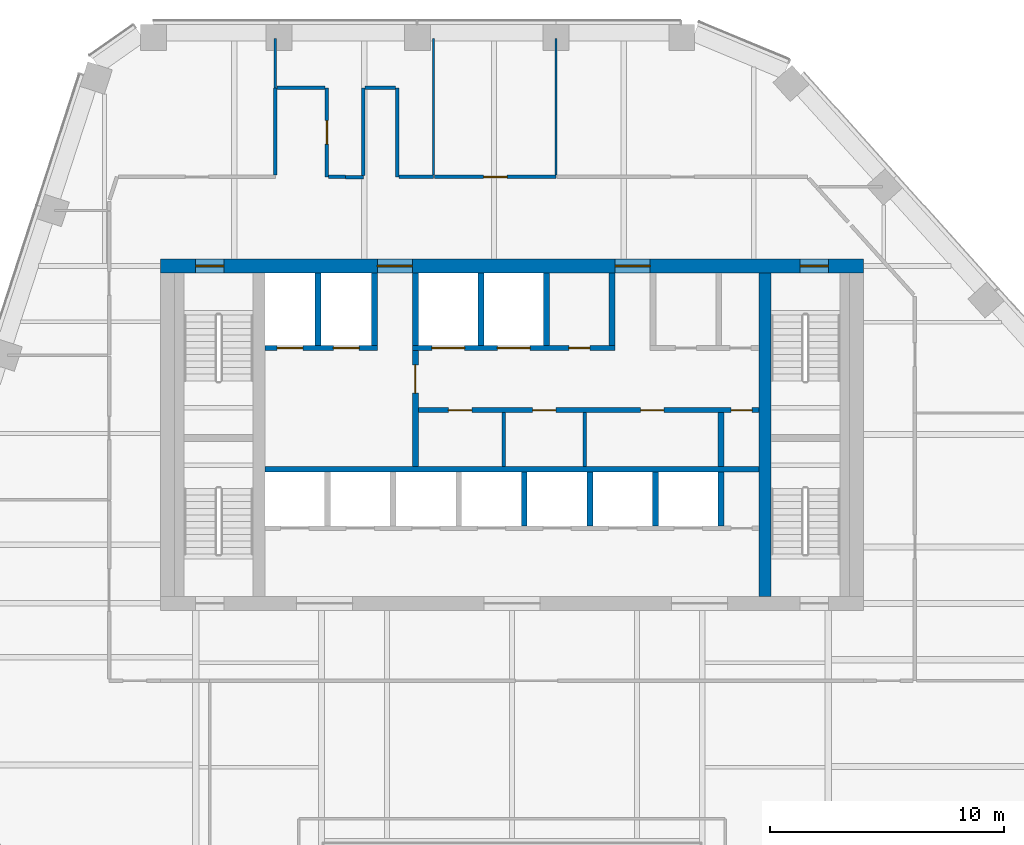
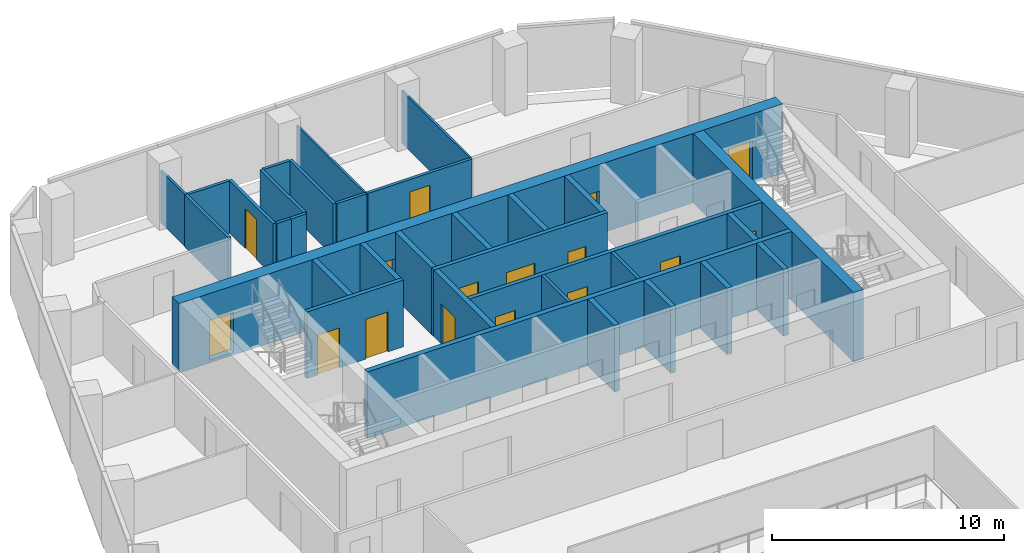
# One storey, part 10 of 15: 33 walls, 16 doors, 16 openings.
"""IFC4 building model written with IfcOpenShell, lengths in metres."""

from ifc_helpers import new_model, si_unit, direction, frame, frame_2d, origin, place, context, subcontext, project, spatial, rectangle, extrude, material, layer, layer_set, type_object, element, fill, save


model = new_model("IFC4")

# Units and contexts
model_context = context("Model", 3, precision=1e-05, world=origin(), true_north=direction((0.0, 1.0)))
body_context = subcontext(model_context, "Body", "Model", "MODEL_VIEW")
ifc_project = project(units=[si_unit("LENGTHUNIT", "METRE"), si_unit("AREAUNIT", "SQUARE_METRE"), si_unit("VOLUMEUNIT", "CUBIC_METRE"), si_unit("PLANEANGLEUNIT", "RADIAN"), si_unit("MASSUNIT", "GRAM", prefix="KILO")], contexts=[model_context])

# Site, building, storey
site_placement = place(None, origin())
site = spatial("IfcSite", under=ifc_project, at=site_placement, CompositionType="ELEMENT")
building_placement = place(site_placement, origin())
building = spatial("IfcBuilding", under=site, at=building_placement, Name="Isthmus Gate Tower", CompositionType="ELEMENT")
storey_placement = place(building_placement, frame((0.0, 0.0, 230.89990234375)))
storey = spatial("IfcBuildingStorey", under=building, at=storey_placement, Name="L58", CompositionType="ELEMENT", Elevation=230.89990234375)

# Wall, opening, door
ifc_material_1 = material(Name="Gypsum board on steel studs, fire-rated", Category="steel")
ifc_layer_1 = layer(ifc_material_1, 0.14990234375)
ifc_layer_set_1 = layer_set([ifc_layer_1], Name="CORRIDOR WALL 150 60 MIN")
wall_type_1 = type_object("IfcWallType", Name="CORRIDOR WALL 150 60 MIN", PredefinedType="PARTITIONING", material=ifc_layer_set_1)
wall_1_placement = place(storey_placement, frame((-7.89990234375, 22.300048828125, 0.0), z_axis=(0.0, 0.0, 1.0), x_axis=(0.0, -1.0, 0.0)))
wall_1 = element("IfcWall", 1, at=wall_1_placement, inside=storey, type_object=wall_type_1, Name="L58 Corridor Wall 150 60 Min", PredefinedType="PARTITIONING", context=body_context, shape_type="SweptSolid", body=[
    extrude(rectangle(XDim=3.800048828125, YDim=0.14990234375, at=frame_2d((1.89990234375, 0.0))), origin(), (0.0, 0.0, 1.0), 2.750732421875),
])
opening_1_placement = place(wall_1_placement, frame((1.39990234375, 0.0, 0.0)))
opening_1 = element("IfcOpeningElement", 2, at=opening_1_placement, cuts=wall_1, Name="Opening DT-T5B-02", PredefinedType="OPENING", context=body_context, shape_type="SweptSolid", body=[
    extrude(rectangle(XDim=1.0, YDim=2.10009765625, at=frame_2d((0.5, 1.050048828125))), frame((0.0, 0.0849609375, 0.0), z_axis=(0.0, -1.0, 0.0), x_axis=(1.0, 0.0, 0.0)), (0.0, 0.0, 1.0), 0.169921875),
])
ifc_material_2 = material(Name="Solid core timber door leaf, fire-rated", Category="wood")
door_type_1 = type_object("IfcDoorType", Name="FIRE DOOR ROOM 1000 X 2100 60 MIN", OperationType="SINGLE_SWING_LEFT", PredefinedType="DOOR", material=ifc_material_2)
door_1_placement = place(opening_1_placement, origin())
door_1 = element("IfcDoor", 3, at=door_1_placement, inside=storey, type_object=door_type_1, Name="L58 room door", OperationType="SINGLE_SWING_RIGHT", OverallHeight=2.10009765625, OverallWidth=1.0, PredefinedType="DOOR", context=body_context, shape_type="SweptSolid", body=[
    extrude(rectangle(XDim=1.0, YDim=2.10009765625, at=frame_2d((0.5, 1.050048828125))), frame((0.0, 0.02490234375, 0.0), z_axis=(0.0, -1.0, 0.0), x_axis=(1.0, 0.0, 0.0)), (0.0, 0.0, 1.0), 0.050048828125),
])
fill(opening_1, door_1)

# Walls
wall_2_placement = place(storey_placement, frame((-4.89990234375, 22.300048828125, 0.0), z_axis=(0.0, 0.0, 1.0), x_axis=(0.0, -1.0, 0.0)))
element("IfcWall", 4, at=wall_2_placement, inside=storey, type_object=wall_type_1, Name="L58 Corridor Wall 150 60 Min", PredefinedType="PARTITIONING", context=body_context, shape_type="SweptSolid", body=[
    extrude(rectangle(XDim=3.800048828125, YDim=0.14990234375, at=frame_2d((1.89990234375, 0.0))), origin(), (0.0, 0.0, 1.0), 2.750732421875),
])
wall_3_placement = place(storey_placement, frame((-10.10009765625, 18.574951171875, 0.0), z_axis=(0.0, 0.0, 1.0), x_axis=(0.0, 1.0, 0.0)))
element("IfcWall", 5, at=wall_3_placement, inside=storey, type_object=wall_type_1, Name="L58 Corridor Wall 150 60 Min", PredefinedType="PARTITIONING", context=body_context, shape_type="SweptSolid", body=[
    extrude(rectangle(XDim=3.72509765625, YDim=0.14990234375, at=frame_2d((1.862548828125, 0.0))), origin(), (0.0, 0.0, 1.0), 2.750732421875),
])
wall_4_placement = place(storey_placement, frame((-10.02490234375, 22.300048828125, 0.0), z_axis=(0.0, 0.0, 1.0), x_axis=(1.0, 0.0, 0.0)))
element("IfcWall", 6, at=wall_4_placement, inside=storey, type_object=wall_type_1, Name="L58 Corridor Wall 150 60 Min", PredefinedType="PARTITIONING", context=body_context, shape_type="SweptSolid", body=[
    extrude(rectangle(XDim=2.0498046875, YDim=0.14990234375, at=frame_2d((1.02490234375, 0.0))), origin(), (0.0, 0.0, 1.0), 2.750732421875),
])
wall_5_placement = place(storey_placement, frame((-7.824951171875, 18.5, 0.0), z_axis=(0.0, 0.0, 1.0), x_axis=(1.0, 0.0, 0.0)))
element("IfcWall", 7, at=wall_5_placement, inside=storey, type_object=wall_type_1, Name="L58 Corridor Wall 150 60 Min", PredefinedType="PARTITIONING", context=body_context, shape_type="SweptSolid", body=[
    extrude(rectangle(XDim=0.722900390625, YDim=0.14990234375, at=frame_2d((0.361328125, 0.0))), origin(), (0.0, 0.0, 1.0), 2.750732421875),
])
wall_6_placement = place(storey_placement, frame((-7.10205078125, 18.498046875, 0.0), z_axis=(0.0, 0.0, 1.0), x_axis=(1.0, 0.0, 0.0)))
element("IfcWall", 8, at=wall_6_placement, inside=storey, type_object=wall_type_1, Name="L58 Corridor Wall 150 60 Min", PredefinedType="PARTITIONING", context=body_context, shape_type="SweptSolid", body=[
    extrude(rectangle(XDim=0.754150390625, YDim=0.14990234375, at=frame_2d((0.376953125, 0.0))), origin(), (0.0, 0.0, 1.0), 2.750732421875),
])
wall_7_placement = place(storey_placement, frame((-6.347900390625, 18.572998046875, 0.0), z_axis=(0.0, 0.0, 1.0), x_axis=(0.0, 1.0, 0.0)))
element("IfcWall", 9, at=wall_7_placement, inside=storey, type_object=wall_type_1, Name="L58 Corridor Wall 150 60 Min", PredefinedType="PARTITIONING", context=body_context, shape_type="SweptSolid", body=[
    extrude(rectangle(XDim=3.72705078125, YDim=0.14990234375, at=frame_2d((1.863525390625, 0.0))), origin(), (0.0, 0.0, 1.0), 2.750732421875),
])
wall_8_placement = place(storey_placement, frame((-6.27294921875, 22.300048828125, 0.0), z_axis=(0.0, 0.0, 1.0), x_axis=(1.0, 0.0, 0.0)))
element("IfcWall", 10, at=wall_8_placement, inside=storey, type_object=wall_type_1, Name="L58 Corridor Wall 150 60 Min", PredefinedType="PARTITIONING", context=body_context, shape_type="SweptSolid", body=[
    extrude(rectangle(XDim=1.2978515625, YDim=0.14990234375, at=frame_2d((0.64892578125, 0.0))), origin(), (0.0, 0.0, 1.0), 2.750732421875),
])
wall_9_placement = place(storey_placement, frame((-4.824951171875, 18.5, 0.0), z_axis=(0.0, 0.0, 1.0), x_axis=(1.0, 0.0, 0.0)))
element("IfcWall", 11, at=wall_9_placement, inside=storey, type_object=wall_type_1, Name="L58 Corridor Wall 150 60 Min", PredefinedType="PARTITIONING", context=body_context, shape_type="SweptSolid", body=[
    extrude(rectangle(XDim=1.474853515625, YDim=0.14990234375, at=frame_2d((0.7373046875, 0.0))), origin(), (0.0, 0.0, 1.0), 2.750732421875),
])

# Wall, opening, door
wall_10_placement = place(storey_placement, frame((-3.300048828125, 18.5, 0.0), z_axis=(0.0, 0.0, 1.0), x_axis=(1.0, 0.0, 0.0)))
wall_10 = element("IfcWall", 12, at=wall_10_placement, inside=storey, type_object=wall_type_1, Name="L58 Corridor Wall 150 60 Min", PredefinedType="PARTITIONING", context=body_context, shape_type="SweptSolid", body=[
    extrude(rectangle(XDim=5.18115234375, YDim=0.14990234375, at=frame_2d((2.590576171875, 0.0))), origin(), (0.0, 0.0, 1.0), 2.750732421875),
])
opening_2_placement = place(wall_10_placement, frame((2.090576171875, 0.0, 0.0)))
opening_2 = element("IfcOpeningElement", 13, at=opening_2_placement, cuts=wall_10, Name="Opening DT-T5B-03", PredefinedType="OPENING", context=body_context, shape_type="SweptSolid", body=[
    extrude(rectangle(XDim=1.0, YDim=2.10009765625, at=frame_2d((0.5, 1.050048828125))), frame((0.0, 0.0849609375, 0.0), z_axis=(0.0, -1.0, 0.0), x_axis=(1.0, 0.0, 0.0)), (0.0, 0.0, 1.0), 0.169921875),
])
door_2_placement = place(opening_2_placement, origin())
door_2 = element("IfcDoor", 14, at=door_2_placement, inside=storey, type_object=door_type_1, Name="L58 room door", OperationType="SINGLE_SWING_RIGHT", OverallHeight=2.10009765625, OverallWidth=1.0, PredefinedType="DOOR", context=body_context, shape_type="SweptSolid", body=[
    extrude(rectangle(XDim=1.0, YDim=2.10009765625, at=frame_2d((0.5, 1.050048828125))), frame((0.0, 0.02490234375, 0.0), z_axis=(0.0, -1.0, 0.0), x_axis=(1.0, 0.0, 0.0)), (0.0, 0.0, 1.0), 0.050048828125),
])
fill(opening_2, door_2)

ifc_material_3 = material(Name="Fire-rated blockwork masonry, 15 MPa", Category="masonry")
ifc_layer_2 = layer(ifc_material_3, 0.25)
ifc_layer_set_2 = layer_set([ifc_layer_2], Name="FIRE-FIGHTING LOBBY WALL 250 90 MIN")
wall_type_2 = type_object("IfcWallType", Name="FIRE-FIGHTING LOBBY WALL 250 90 MIN", PredefinedType="PARTITIONING", material=ifc_layer_set_2)
wall_11_placement = place(storey_placement, frame((-4.125, 6.14990234375, 0.0), z_axis=(0.0, 0.0, 1.0), x_axis=(0.0, 1.0, 0.0)))
wall_11 = element("IfcWall", 15, at=wall_11_placement, inside=storey, type_object=wall_type_2, Name="L58 FIRE-FIGHTING LOBBY WALL 250 90 MIN", PredefinedType="PARTITIONING", context=body_context, shape_type="SweptSolid", body=[
    extrude(rectangle(XDim=4.9501953125, YDim=0.25, at=frame_2d((2.47509765625, 0.0))), origin(), (0.0, 0.0, 1.0), 3.5),
])
opening_3_placement = place(wall_11_placement, frame((3.125, 0.0, 0.0)))
opening_3 = element("IfcOpeningElement", 16, at=opening_3_placement, cuts=wall_11, Name="Opening DC-A20-01", PredefinedType="OPENING", context=body_context, shape_type="SweptSolid", body=[
    extrude(rectangle(XDim=1.199951171875, YDim=2.10009765625, at=frame_2d((0.60009765625, 1.050048828125))), frame((0.0, 0.135009765625, 0.0), z_axis=(0.0, -1.0, 0.0), x_axis=(1.0, 0.0, 0.0)), (0.0, 0.0, 1.0), 0.27001953125),
])
ifc_material_4 = material(Name="Steel door leaf, fire-rated", Category="steel")
door_type_2 = type_object("IfcDoorType", Name="LOBBY FIRE DOOR 1200 X 2100 90 MIN", OperationType="DOUBLE_DOOR_SINGLE_SWING", PredefinedType="DOOR", material=ifc_material_4)
door_3_placement = place(opening_3_placement, origin())
door_3 = element("IfcDoor", 17, at=door_3_placement, inside=storey, type_object=door_type_2, Name="Fire-fighting Lobby Door", OperationType="SINGLE_SWING_LEFT", OverallHeight=2.10009765625, OverallWidth=1.199951171875, PredefinedType="DOOR", context=body_context, shape_type="SweptSolid", body=[
    extrude(rectangle(XDim=1.199951171875, YDim=2.10009765625, at=frame_2d((0.60009765625, 1.050048828125))), frame((0.0, 0.02490234375, 0.0), z_axis=(0.0, -1.0, 0.0), x_axis=(1.0, 0.0, 0.0)), (0.0, 0.0, 1.0), 0.050048828125),
])
fill(opening_3, door_3)

# Wall
ifc_material_5 = material(Name="Concrete f'c 50 MPa", Category="concrete")
ifc_layer_3 = layer(ifc_material_5, 0.5)
ifc_layer_set_3 = layer_set([ifc_layer_3], Name="RC CORE SPINE WALL 500 F'C 50")
wall_type_3 = type_object("IfcWallType", Name="RC CORE SPINE WALL 500 F'C 50", PredefinedType="SOLIDWALL", material=ifc_layer_set_3)
wall_12_placement = place(storey_placement, frame((10.800048828125, 0.60009765625, -0.14990234375), z_axis=(0.0, 0.0, 1.0), x_axis=(0.0, 1.0, 0.0)))
element("IfcWall", 18, at=wall_12_placement, inside=storey, type_object=wall_type_3, Name="str-corewall-L58-SPE", PredefinedType="SOLIDWALL", context=body_context, shape_type="SweptSolid", body=[
    extrude(rectangle(XDim=13.7998046875, YDim=0.5, at=frame_2d((6.89990234375, 0.0))), origin(), (0.0, 0.0, 1.0), 3.64990234375),
])

# Wall, openings, doors
ifc_material_6 = material(Name="Concrete f'c 50 MPa", Category="concrete")
ifc_layer_4 = layer(ifc_material_6, 0.60009765625)
ifc_layer_set_4 = layer_set([ifc_layer_4], Name="RC CORE WALL 600 F'C 50")
wall_type_4 = type_object("IfcWallType", Name="RC CORE WALL 600 F'C 50", PredefinedType="SOLIDWALL", material=ifc_layer_set_4)
wall_13_placement = place(storey_placement, frame((-15.0, 14.699951171875, -0.14990234375), z_axis=(0.0, 0.0, 1.0), x_axis=(1.0, 0.0, 0.0)))
wall_13 = element("IfcWall", 19, at=wall_13_placement, inside=storey, type_object=wall_type_4, Name="str-corewall-L58-N", PredefinedType="SOLIDWALL", context=body_context, shape_type="SweptSolid", body=[
    extrude(rectangle(XDim=30.0, YDim=0.60009765625, at=frame_2d((15.0, 0.0))), origin(), (0.0, 0.0, 1.0), 3.64990234375),
])
opening_4_placement = place(wall_13_placement, frame((9.25, 0.0, 0.14990234375)))
opening_4 = element("IfcOpeningElement", 20, at=opening_4_placement, cuts=wall_13, Name="Opening DC-A20-13", PredefinedType="OPENING", context=body_context, shape_type="SweptSolid", body=[
    extrude(rectangle(XDim=1.5, YDim=2.10009765625, at=frame_2d((0.75, 1.050048828125))), frame((0.0, 0.31005859375, 0.0), z_axis=(0.0, -1.0, 0.0), x_axis=(1.0, 0.0, 0.0)), (0.0, 0.0, 1.0), 0.6201171875),
])
opening_5_placement = place(wall_13_placement, frame((19.39990234375, 0.0, 0.14990234375)))
opening_5 = element("IfcOpeningElement", 21, at=opening_5_placement, cuts=wall_13, Name="Opening DC-A20-14", PredefinedType="OPENING", context=body_context, shape_type="SweptSolid", body=[
    extrude(rectangle(XDim=1.5, YDim=2.10009765625, at=frame_2d((0.75, 1.050048828125))), frame((0.0, 0.31005859375, 0.0), z_axis=(0.0, -1.0, 0.0), x_axis=(1.0, 0.0, 0.0)), (0.0, 0.0, 1.0), 0.6201171875),
])
opening_6_placement = place(wall_13_placement, frame((1.5, 0.0, 0.14990234375)))
opening_6 = element("IfcOpeningElement", 22, at=opening_6_placement, cuts=wall_13, Name="Opening DC-A20-15", PredefinedType="OPENING", context=body_context, shape_type="SweptSolid", body=[
    extrude(rectangle(XDim=1.199951171875, YDim=2.10009765625, at=frame_2d((0.60009765625, 1.050048828125))), frame((0.0, 0.31005859375, 0.0), z_axis=(0.0, -1.0, 0.0), x_axis=(1.0, 0.0, 0.0)), (0.0, 0.0, 1.0), 0.6201171875),
])
opening_7_placement = place(wall_13_placement, frame((27.300048828125, 0.0, 0.14990234375)))
opening_7 = element("IfcOpeningElement", 23, at=opening_7_placement, cuts=wall_13, Name="Opening DC-A20-16", PredefinedType="OPENING", context=body_context, shape_type="SweptSolid", body=[
    extrude(rectangle(XDim=1.199951171875, YDim=2.10009765625, at=frame_2d((0.60009765625, 1.050048828125))), frame((0.0, 0.31005859375, 0.0), z_axis=(0.0, -1.0, 0.0), x_axis=(1.0, 0.0, 0.0)), (0.0, 0.0, 1.0), 0.6201171875),
])
ifc_material_7 = material(Name="Steel door leaf, fire-rated", Category="steel")
door_type_3 = type_object("IfcDoorType", Name="LOBBY FIRE DOOR 1500 X 2100 60 MIN", OperationType="DOUBLE_DOOR_SINGLE_SWING", PredefinedType="DOOR", material=ifc_material_7)
door_4_placement = place(opening_5_placement, origin())
door_4 = element("IfcDoor", 24, at=door_4_placement, inside=storey, type_object=door_type_3, Name="Lobby Door PN-E", OperationType="DOUBLE_DOOR_SINGLE_SWING", OverallHeight=2.10009765625, OverallWidth=1.5, PredefinedType="DOOR", context=body_context, shape_type="SweptSolid", body=[
    extrude(rectangle(XDim=1.5, YDim=2.10009765625, at=frame_2d((0.75, 1.050048828125))), frame((0.0, 0.02490234375, 0.0), z_axis=(0.0, -1.0, 0.0), x_axis=(1.0, 0.0, 0.0)), (0.0, 0.0, 1.0), 0.050048828125),
])
fill(opening_5, door_4)
ifc_material_8 = material(Name="Steel door leaf, fire-rated", Category="steel")
door_type_4 = type_object("IfcDoorType", Name="LOBBY FIRE DOOR 1500 X 2100 90 MIN", OperationType="DOUBLE_DOOR_SINGLE_SWING", PredefinedType="DOOR", material=ifc_material_8)
door_5_placement = place(opening_4_placement, origin())
door_5 = element("IfcDoor", 25, at=door_5_placement, inside=storey, type_object=door_type_4, Name="Lobby Door PN-W", OperationType="DOUBLE_DOOR_SINGLE_SWING", OverallHeight=2.10009765625, OverallWidth=1.5, PredefinedType="DOOR", context=body_context, shape_type="SweptSolid", body=[
    extrude(rectangle(XDim=1.5, YDim=2.10009765625, at=frame_2d((0.75, 1.050048828125))), frame((0.0, 0.02490234375, 0.0), z_axis=(0.0, -1.0, 0.0), x_axis=(1.0, 0.0, 0.0)), (0.0, 0.0, 1.0), 0.050048828125),
])
fill(opening_4, door_5)
ifc_material_9 = material(Name="Steel door leaf, fire-rated", Category="steel")
door_type_5 = type_object("IfcDoorType", Name="STAIR FIRE DOOR 1200 X 2100 90 MIN", OperationType="SINGLE_SWING_LEFT", PredefinedType="DOOR", material=ifc_material_9)
door_6_placement = place(opening_6_placement, origin())
door_6 = element("IfcDoor", 26, at=door_6_placement, inside=storey, type_object=door_type_5, Name="Exit Stair 1 Door", OperationType="SINGLE_SWING_RIGHT", OverallHeight=2.10009765625, OverallWidth=1.199951171875, PredefinedType="DOOR", context=body_context, shape_type="SweptSolid", body=[
    extrude(rectangle(XDim=1.199951171875, YDim=2.10009765625, at=frame_2d((0.60009765625, 1.050048828125))), frame((0.0, 0.02490234375, 0.0), z_axis=(0.0, -1.0, 0.0), x_axis=(1.0, 0.0, 0.0)), (0.0, 0.0, 1.0), 0.050048828125),
])
fill(opening_6, door_6)
door_7_placement = place(opening_7_placement, origin())
door_7 = element("IfcDoor", 27, at=door_7_placement, inside=storey, type_object=door_type_5, Name="Exit Stair 2 Door", OperationType="SINGLE_SWING_LEFT", OverallHeight=2.10009765625, OverallWidth=1.199951171875, PredefinedType="DOOR", context=body_context, shape_type="SweptSolid", body=[
    extrude(rectangle(XDim=1.199951171875, YDim=2.10009765625, at=frame_2d((0.60009765625, 1.050048828125))), frame((0.0, 0.02490234375, 0.0), z_axis=(0.0, -1.0, 0.0), x_axis=(1.0, 0.0, 0.0)), (0.0, 0.0, 1.0), 0.050048828125),
])
fill(opening_7, door_7)

# Walls
ifc_material_10 = material(Name="Gypsum board on steel studs, fire-rated", Category="steel")
ifc_layer_5 = layer(ifc_material_10, 0.10009765625)
ifc_layer_set_5 = layer_set([ifc_layer_5], Name="ROOM PARTITION 100 30 MIN")
wall_type_5 = type_object("IfcWallType", Name="ROOM PARTITION 100 30 MIN", PredefinedType="PARTITIONING", material=ifc_layer_set_5)
wall_14_placement = place(storey_placement, frame((-10.10205078125, 22.300048828125, 0.0), z_axis=(0.0, 0.0, 1.0), x_axis=(0.0, 1.0, 0.0)))
element("IfcWall", 28, at=wall_14_placement, inside=storey, type_object=wall_type_5, Name="L58 Room Partition 100 30 Min", PredefinedType="PARTITIONING", context=body_context, shape_type="SweptSolid", body=[
    extrude(rectangle(XDim=2.099853515625, YDim=0.10009765625, at=frame_2d((1.0498046875, 0.0))), origin(), (0.0, 0.0, 1.0), 2.750732421875),
])
for number, where, z_axis, x_axis, name in (
    (29, (-3.35009765625, 18.574951171875, 0.0), (0.0, 0.0, 1.0), (0.0, 1.0, 0.0), "L58 Room Partition 100 30 Min"),
    (30, (1.881103515625, 18.574951171875, 0.0), (0.0, 0.0, 1.0), (0.0, 1.0, 0.0), "L58 Room Partition 100 30 Min"),
):
    element("IfcWall", number, at=place(storey_placement, frame(where, z_axis=z_axis, x_axis=x_axis)), inside=storey, type_object=wall_type_5, Name=name, PredefinedType="PARTITIONING", context=body_context, shape_type="SweptSolid", body=[
        extrude(rectangle(XDim=5.824951171875, YDim=0.10009765625, at=frame_2d((2.91259765625, 0.0))), origin(), (0.0, 0.0, 1.0), 2.750732421875),
    ])
ifc_material_11 = material(Name="Gypsum board on steel studs, fire-rated", Category="steel")
ifc_layer_6 = layer(ifc_material_11, 0.14990234375)
ifc_layer_set_6 = layer_set([ifc_layer_6], Name="ROOM PARTITION 150 60 MIN")
wall_type_6 = type_object("IfcWallType", Name="ROOM PARTITION 150 60 MIN", PredefinedType="PARTITIONING", material=ifc_layer_set_6)
for number, where, z_axis, x_axis, name in (
    (31, (-0.35009765625, 6.14990234375, 0.0), (0.0, 0.0, 1.0), (0.0, 1.0, 0.0), "L58 ROOM PARTITION 150 60 MIN"),
    (32, (3.10009765625, 6.14990234375, 0.0), (0.0, 0.0, 1.0), (0.0, 1.0, 0.0), "L58 ROOM PARTITION 150 60 MIN"),
):
    element("IfcWall", number, at=place(storey_placement, frame(where, z_axis=z_axis, x_axis=x_axis)), inside=storey, type_object=wall_type_6, Name=name, PredefinedType="PARTITIONING", context=body_context, shape_type="SweptSolid", body=[
        extrude(rectangle(XDim=2.300048828125, YDim=0.14990234375, at=frame_2d((1.14990234375, 0.0))), origin(), (0.0, 0.0, 1.0), 3.5),
    ])

# Wall, openings, doors
ifc_material_12 = material(Name="Fire-rated blockwork masonry, 15 MPa", Category="masonry")
ifc_layer_7 = layer(ifc_material_12, 0.199951171875)
ifc_layer_set_7 = layer_set([ifc_layer_7], Name="SHAFT FRONT WALL 200 120 MIN")
wall_type_7 = type_object("IfcWallType", Name="SHAFT FRONT WALL 200 120 MIN", PredefinedType="PARTITIONING", material=ifc_layer_set_7)
wall_15_placement = place(storey_placement, frame((-4.125, 8.550048828125, 0.0), z_axis=(0.0, 0.0, 1.0), x_axis=(1.0, 0.0, 0.0)))
wall_15 = element("IfcWall", 33, at=wall_15_placement, inside=storey, type_object=wall_type_7, Name="L58 SHAFT FRONT WALL 200 120 MIN", PredefinedType="PARTITIONING", context=body_context, shape_type="SweptSolid", body=[
    extrude(rectangle(XDim=14.675048828125, YDim=0.199951171875, at=frame_2d((7.33740234375, 0.0))), origin(), (0.0, 0.0, 1.0), 3.5),
])
opening_8_placement = place(wall_15_placement, frame((1.41259765625, 0.0, 0.0)))
opening_8 = element("IfcOpeningElement", 34, at=opening_8_placement, cuts=wall_15, Name="Opening DC-A20-03", PredefinedType="OPENING", context=body_context, shape_type="SweptSolid", body=[
    extrude(rectangle(XDim=1.0, YDim=2.10009765625, at=frame_2d((0.5, 1.050048828125))), frame((0.0, 0.10986328125, 0.0), z_axis=(0.0, -1.0, 0.0), x_axis=(1.0, 0.0, 0.0)), (0.0, 0.0, 1.0), 0.219970703125),
])
opening_9_placement = place(wall_15_placement, frame((5.0, 0.0, 0.0)))
opening_9 = element("IfcOpeningElement", 35, at=opening_9_placement, cuts=wall_15, Name="Opening DC-A20-04", PredefinedType="OPENING", context=body_context, shape_type="SweptSolid", body=[
    extrude(rectangle(XDim=1.0, YDim=2.10009765625, at=frame_2d((0.5, 1.050048828125))), frame((0.0, 0.10986328125, 0.0), z_axis=(0.0, -1.0, 0.0), x_axis=(1.0, 0.0, 0.0)), (0.0, 0.0, 1.0), 0.219970703125),
])
opening_10_placement = place(wall_15_placement, frame((9.612548828125, 0.0, 0.0)))
opening_10 = element("IfcOpeningElement", 36, at=opening_10_placement, cuts=wall_15, Name="Opening DC-A20-05", PredefinedType="OPENING", context=body_context, shape_type="SweptSolid", body=[
    extrude(rectangle(XDim=1.0, YDim=2.10009765625, at=frame_2d((0.5, 1.050048828125))), frame((0.0, 0.10986328125, 0.0), z_axis=(0.0, -1.0, 0.0), x_axis=(1.0, 0.0, 0.0)), (0.0, 0.0, 1.0), 0.219970703125),
])
opening_11_placement = place(wall_15_placement, frame((13.47509765625, 0.0, 0.0)))
opening_11 = element("IfcOpeningElement", 37, at=opening_11_placement, cuts=wall_15, Name="Opening DC-A20-06", PredefinedType="OPENING", context=body_context, shape_type="SweptSolid", body=[
    extrude(rectangle(XDim=0.89990234375, YDim=2.10009765625, at=frame_2d((0.449951171875, 1.050048828125))), frame((0.0, 0.10986328125, 0.0), z_axis=(0.0, -1.0, 0.0), x_axis=(1.0, 0.0, 0.0)), (0.0, 0.0, 1.0), 0.219970703125),
])
ifc_material_13 = material(Name="Steel door leaf, fire-rated", Category="steel")
door_type_6 = type_object("IfcDoorType", Name="FIRE DOOR 1000 X 2100 60 MIN", OperationType="SINGLE_SWING_LEFT", PredefinedType="DOOR", material=ifc_material_13)
door_8_placement = place(opening_8_placement, origin())
door_8 = element("IfcDoor", 38, at=door_8_placement, inside=storey, type_object=door_type_6, Name="WC Men Door", OperationType="SINGLE_SWING_LEFT", OverallHeight=2.10009765625, OverallWidth=1.0, PredefinedType="DOOR", context=body_context, shape_type="SweptSolid", body=[
    extrude(rectangle(XDim=1.0, YDim=2.10009765625, at=frame_2d((0.5, 1.050048828125))), frame((0.0, 0.02490234375, 0.0), z_axis=(0.0, -1.0, 0.0), x_axis=(1.0, 0.0, 0.0)), (0.0, 0.0, 1.0), 0.050048828125),
])
fill(opening_8, door_8)
door_9_placement = place(opening_9_placement, origin())
door_9 = element("IfcDoor", 39, at=door_9_placement, inside=storey, type_object=door_type_6, Name="WC Women Door", OperationType="SINGLE_SWING_RIGHT", OverallHeight=2.10009765625, OverallWidth=1.0, PredefinedType="DOOR", context=body_context, shape_type="SweptSolid", body=[
    extrude(rectangle(XDim=1.0, YDim=2.10009765625, at=frame_2d((0.5, 1.050048828125))), frame((0.0, 0.02490234375, 0.0), z_axis=(0.0, -1.0, 0.0), x_axis=(1.0, 0.0, 0.0)), (0.0, 0.0, 1.0), 0.050048828125),
])
fill(opening_9, door_9)
door_10_placement = place(opening_10_placement, origin())
door_10 = element("IfcDoor", 40, at=door_10_placement, inside=storey, type_object=door_type_6, Name="Accessible WC Door", OperationType="SINGLE_SWING_LEFT", OverallHeight=2.10009765625, OverallWidth=1.0, PredefinedType="DOOR", context=body_context, shape_type="SweptSolid", body=[
    extrude(rectangle(XDim=1.0, YDim=2.10009765625, at=frame_2d((0.5, 1.050048828125))), frame((0.0, 0.02490234375, 0.0), z_axis=(0.0, -1.0, 0.0), x_axis=(1.0, 0.0, 0.0)), (0.0, 0.0, 1.0), 0.050048828125),
])
fill(opening_10, door_10)
ifc_material_14 = material(Name="Steel door leaf, fire-rated", Category="steel")
door_type_7 = type_object("IfcDoorType", Name="RISER FIRE DOOR 900 X 2100 90 MIN", OperationType="SINGLE_SWING_LEFT", PredefinedType="DOOR", material=ifc_material_14)
door_11_placement = place(opening_11_placement, origin())
door_11 = element("IfcDoor", 41, at=door_11_placement, inside=storey, type_object=door_type_7, Name="Riser Door", OperationType="SINGLE_SWING_RIGHT", OverallHeight=2.10009765625, OverallWidth=0.89990234375, PredefinedType="DOOR", context=body_context, shape_type="SweptSolid", body=[
    extrude(rectangle(XDim=0.89990234375, YDim=2.10009765625, at=frame_2d((0.449951171875, 1.050048828125))), frame((0.0, 0.02490234375, 0.0), z_axis=(0.0, -1.0, 0.0), x_axis=(1.0, 0.0, 0.0)), (0.0, 0.0, 1.0), 0.050048828125),
])
fill(opening_11, door_11)

wall_16_placement = place(storey_placement, frame((-10.550048828125, 11.199951171875, 0.0), z_axis=(0.0, 0.0, 1.0), x_axis=(1.0, 0.0, 0.0)))
wall_16 = element("IfcWall", 42, at=wall_16_placement, inside=storey, type_object=wall_type_7, Name="L58 SHAFT FRONT WALL 200 120 MIN", PredefinedType="PARTITIONING", context=body_context, shape_type="SweptSolid", body=[
    extrude(rectangle(XDim=4.800048828125, YDim=0.199951171875, at=frame_2d((2.39990234375, 0.0))), origin(), (0.0, 0.0, 1.0), 3.5),
])
opening_12_placement = place(wall_16_placement, frame((0.52490234375, 0.0, 0.0)))
opening_12 = element("IfcOpeningElement", 43, at=opening_12_placement, cuts=wall_16, Name="Opening LD-LF1", PredefinedType="OPENING", context=body_context, shape_type="SweptSolid", body=[
    extrude(rectangle(XDim=1.10009765625, YDim=2.10009765625, at=frame_2d((0.550048828125, 1.050048828125))), frame((0.0, 0.10986328125, 0.0), z_axis=(0.0, -1.0, 0.0), x_axis=(1.0, 0.0, 0.0)), (0.0, 0.0, 1.0), 0.219970703125),
])
opening_13_placement = place(wall_16_placement, frame((2.925048828125, 0.0, 0.0)))
opening_13 = element("IfcOpeningElement", 44, at=opening_13_placement, cuts=wall_16, Name="Opening LD-LF2", PredefinedType="OPENING", context=body_context, shape_type="SweptSolid", body=[
    extrude(rectangle(XDim=1.10009765625, YDim=2.10009765625, at=frame_2d((0.550048828125, 1.050048828125))), frame((0.0, 0.10986328125, 0.0), z_axis=(0.0, -1.0, 0.0), x_axis=(1.0, 0.0, 0.0)), (0.0, 0.0, 1.0), 0.219970703125),
])
ifc_material_15 = material(Name="Stainless steel sliding leaf", Category="steel")
door_type_8 = type_object("IfcDoorType", Name="LIFT LANDING FIRE DOOR 1100 X 2100 90 MIN", OperationType="DOUBLE_DOOR_SLIDING", PredefinedType="DOOR", material=ifc_material_15)
door_12_placement = place(opening_12_placement, origin())
door_12 = element("IfcDoor", 45, at=door_12_placement, inside=storey, type_object=door_type_8, Name="Lift Landing Door LF1", OperationType="DOUBLE_DOOR_SLIDING", OverallHeight=2.10009765625, OverallWidth=1.10009765625, PredefinedType="DOOR", context=body_context, shape_type="SweptSolid", body=[
    extrude(rectangle(XDim=1.10009765625, YDim=2.10009765625, at=frame_2d((0.550048828125, 1.050048828125))), frame((0.0, 0.02490234375, 0.0), z_axis=(0.0, -1.0, 0.0), x_axis=(1.0, 0.0, 0.0)), (0.0, 0.0, 1.0), 0.050048828125),
])
fill(opening_12, door_12)
door_13_placement = place(opening_13_placement, origin())
door_13 = element("IfcDoor", 46, at=door_13_placement, inside=storey, type_object=door_type_8, Name="Lift Landing Door LF2", OperationType="DOUBLE_DOOR_SLIDING", OverallHeight=2.10009765625, OverallWidth=1.10009765625, PredefinedType="DOOR", context=body_context, shape_type="SweptSolid", body=[
    extrude(rectangle(XDim=1.10009765625, YDim=2.10009765625, at=frame_2d((0.550048828125, 1.050048828125))), frame((0.0, 0.02490234375, 0.0), z_axis=(0.0, -1.0, 0.0), x_axis=(1.0, 0.0, 0.0)), (0.0, 0.0, 1.0), 0.050048828125),
])
fill(opening_13, door_13)

wall_17_placement = place(storey_placement, frame((-4.25, 11.199951171875, 0.0), z_axis=(0.0, 0.0, 1.0), x_axis=(1.0, 0.0, 0.0)))
wall_17 = element("IfcWall", 47, at=wall_17_placement, inside=storey, type_object=wall_type_7, Name="L58 SHAFT FRONT WALL 200 120 MIN", PredefinedType="PARTITIONING", context=body_context, shape_type="SweptSolid", body=[
    extrude(rectangle(XDim=8.64990234375, YDim=0.199951171875, at=frame_2d((4.324951171875, 0.0))), origin(), (0.0, 0.0, 1.0), 3.5),
])
opening_14_placement = place(wall_17_placement, frame((0.824951171875, 0.0, 0.0)))
opening_14 = element("IfcOpeningElement", 48, at=opening_14_placement, cuts=wall_17, Name="Opening LD-LV1", PredefinedType="OPENING", context=body_context, shape_type="SweptSolid", body=[
    extrude(rectangle(XDim=1.39990234375, YDim=2.10009765625, at=frame_2d((0.699951171875, 1.050048828125))), frame((0.0, 0.10986328125, 0.0), z_axis=(0.0, -1.0, 0.0), x_axis=(1.0, 0.0, 0.0)), (0.0, 0.0, 1.0), 0.219970703125),
])
opening_15_placement = place(wall_17_placement, frame((3.625, 0.0, 0.0)))
opening_15 = element("IfcOpeningElement", 49, at=opening_15_placement, cuts=wall_17, Name="Opening LD-LV2", PredefinedType="OPENING", context=body_context, shape_type="SweptSolid", body=[
    extrude(rectangle(XDim=1.39990234375, YDim=2.10009765625, at=frame_2d((0.699951171875, 1.050048828125))), frame((0.0, 0.10986328125, 0.0), z_axis=(0.0, -1.0, 0.0), x_axis=(1.0, 0.0, 0.0)), (0.0, 0.0, 1.0), 0.219970703125),
])
opening_16_placement = place(wall_17_placement, frame((6.675048828125, 0.0, 0.0)))
opening_16 = element("IfcOpeningElement", 50, at=opening_16_placement, cuts=wall_17, Name="Opening DC-A20-07", PredefinedType="OPENING", context=body_context, shape_type="SweptSolid", body=[
    extrude(rectangle(XDim=0.89990234375, YDim=2.10009765625, at=frame_2d((0.449951171875, 1.050048828125))), frame((0.0, 0.10986328125, 0.0), z_axis=(0.0, -1.0, 0.0), x_axis=(1.0, 0.0, 0.0)), (0.0, 0.0, 1.0), 0.219970703125),
])
ifc_material_16 = material(Name="Steel door leaf, fire-rated", Category="steel")
door_type_9 = type_object("IfcDoorType", Name="FIRE DOOR 900 X 2100 60 MIN", OperationType="SINGLE_SWING_LEFT", PredefinedType="DOOR", material=ifc_material_16)
door_14_placement = place(opening_16_placement, origin())
door_14 = element("IfcDoor", 51, at=door_14_placement, inside=storey, type_object=door_type_9, Name="Janitor Store Door", OperationType="SINGLE_SWING_LEFT", OverallHeight=2.10009765625, OverallWidth=0.89990234375, PredefinedType="DOOR", context=body_context, shape_type="SweptSolid", body=[
    extrude(rectangle(XDim=0.89990234375, YDim=2.10009765625, at=frame_2d((0.449951171875, 1.050048828125))), frame((0.0, 0.02490234375, 0.0), z_axis=(0.0, -1.0, 0.0), x_axis=(1.0, 0.0, 0.0)), (0.0, 0.0, 1.0), 0.050048828125),
])
fill(opening_16, door_14)
ifc_material_17 = material(Name="Stainless steel sliding leaf", Category="steel")
door_type_10 = type_object("IfcDoorType", Name="LIFT LANDING FIRE DOOR 1400 X 2100 90 MIN", OperationType="DOUBLE_DOOR_SLIDING", PredefinedType="DOOR", material=ifc_material_17)
door_15_placement = place(opening_14_placement, origin())
door_15 = element("IfcDoor", 52, at=door_15_placement, inside=storey, type_object=door_type_10, Name="Lift Landing Door LV1", OperationType="DOUBLE_DOOR_SLIDING", OverallHeight=2.10009765625, OverallWidth=1.39990234375, PredefinedType="DOOR", context=body_context, shape_type="SweptSolid", body=[
    extrude(rectangle(XDim=1.39990234375, YDim=2.10009765625, at=frame_2d((0.699951171875, 1.050048828125))), frame((0.0, 0.02490234375, 0.0), z_axis=(0.0, -1.0, 0.0), x_axis=(1.0, 0.0, 0.0)), (0.0, 0.0, 1.0), 0.050048828125),
])
fill(opening_14, door_15)
door_16_placement = place(opening_15_placement, origin())
door_16 = element("IfcDoor", 53, at=door_16_placement, inside=storey, type_object=door_type_10, Name="Lift Landing Door LV2", OperationType="DOUBLE_DOOR_SLIDING", OverallHeight=2.10009765625, OverallWidth=1.39990234375, PredefinedType="DOOR", context=body_context, shape_type="SweptSolid", body=[
    extrude(rectangle(XDim=1.39990234375, YDim=2.10009765625, at=frame_2d((0.699951171875, 1.050048828125))), frame((0.0, 0.02490234375, 0.0), z_axis=(0.0, -1.0, 0.0), x_axis=(1.0, 0.0, 0.0)), (0.0, 0.0, 1.0), 0.050048828125),
])
fill(opening_15, door_16)

# Walls
ifc_material_18 = material(Name="Fire-rated blockwork masonry, 15 MPa", Category="masonry")
ifc_layer_8 = layer(ifc_material_18, 0.25)
ifc_layer_set_8 = layer_set([ifc_layer_8], Name="SHAFT WALL 250 120 MIN")
wall_type_8 = type_object("IfcWallType", Name="SHAFT WALL 250 120 MIN", PredefinedType="PARTITIONING", material=ifc_layer_set_8)
wall_18_placement = place(storey_placement, frame((-10.550048828125, 6.02490234375, 0.0), z_axis=(0.0, 0.0, 1.0), x_axis=(1.0, 0.0, 0.0)))
element("IfcWall", 54, at=wall_18_placement, inside=storey, type_object=wall_type_8, Name="L58 SHAFT WALL 250 120 MIN", PredefinedType="PARTITIONING", context=body_context, shape_type="SweptSolid", body=[
    extrude(rectangle(XDim=21.10009765625, YDim=0.25, at=frame_2d((10.550048828125, 0.0))), origin(), (0.0, 0.0, 1.0), 3.5),
])
for number, where, z_axis, x_axis, name in (
    (55, (0.52490234375, 3.60009765625, 0.0), (0.0, 0.0, 1.0), (0.0, 1.0, 0.0), "L58 SHAFT WALL 250 120 MIN"),
    (56, (3.324951171875, 3.60009765625, 0.0), (0.0, 0.0, 1.0), (0.0, 1.0, 0.0), "L58 SHAFT WALL 250 120 MIN"),
    (57, (6.125, 3.60009765625, 0.0), (0.0, 0.0, 1.0), (0.0, 1.0, 0.0), "L58 SHAFT WALL 250 120 MIN"),
    (58, (8.925048828125, 3.60009765625, 0.0), (0.0, 0.0, 1.0), (0.0, 1.0, 0.0), "L58 SHAFT WALL 250 120 MIN"),
):
    element("IfcWall", number, at=place(storey_placement, frame(where, z_axis=z_axis, x_axis=x_axis)), inside=storey, type_object=wall_type_8, Name=name, PredefinedType="PARTITIONING", context=body_context, shape_type="SweptSolid", body=[
        extrude(rectangle(XDim=2.2998046875, YDim=0.25, at=frame_2d((1.14990234375, 0.0))), origin(), (0.0, 0.0, 1.0), 3.5),
    ])
wall_19_placement = place(storey_placement, frame((8.925048828125, 6.14990234375, 0.0), z_axis=(0.0, 0.0, 1.0), x_axis=(0.0, 1.0, 0.0)))
element("IfcWall", 59, at=wall_19_placement, inside=storey, type_object=wall_type_8, Name="L58 SHAFT WALL 250 120 MIN", PredefinedType="PARTITIONING", context=body_context, shape_type="SweptSolid", body=[
    extrude(rectangle(XDim=2.300048828125, YDim=0.25, at=frame_2d((1.14990234375, 0.0))), origin(), (0.0, 0.0, 1.0), 3.5),
])
for number, where, z_axis, x_axis, name in (
    (60, (-8.27490234375, 11.300048828125, 0.0), (0.0, 0.0, 1.0), (0.0, 1.0, 0.0), "L58 SHAFT WALL 250 120 MIN"),
    (61, (-5.875, 11.300048828125, 0.0), (0.0, 0.0, 1.0), (0.0, 1.0, 0.0), "L58 SHAFT WALL 250 120 MIN"),
    (62, (-4.125, 11.300048828125, 0.0), (0.0, 0.0, 1.0), (0.0, 1.0, 0.0), "L58 SHAFT WALL 250 120 MIN"),
    (63, (-1.324951171875, 11.300048828125, 0.0), (0.0, 0.0, 1.0), (0.0, 1.0, 0.0), "L58 SHAFT WALL 250 120 MIN"),
    (64, (1.47509765625, 11.300048828125, 0.0), (0.0, 0.0, 1.0), (0.0, 1.0, 0.0), "L58 SHAFT WALL 250 120 MIN"),
    (65, (4.27490234375, 11.300048828125, 0.0), (0.0, 0.0, 1.0), (0.0, 1.0, 0.0), "L58 SHAFT WALL 250 120 MIN"),
):
    element("IfcWall", number, at=place(storey_placement, frame(where, z_axis=z_axis, x_axis=x_axis)), inside=storey, type_object=wall_type_8, Name=name, PredefinedType="PARTITIONING", context=body_context, shape_type="SweptSolid", body=[
        extrude(rectangle(XDim=3.099853515625, YDim=0.25, at=frame_2d((1.5498046875, 0.0))), origin(), (0.0, 0.0, 1.0), 3.5),
    ])

save(model, "model.ifc")
